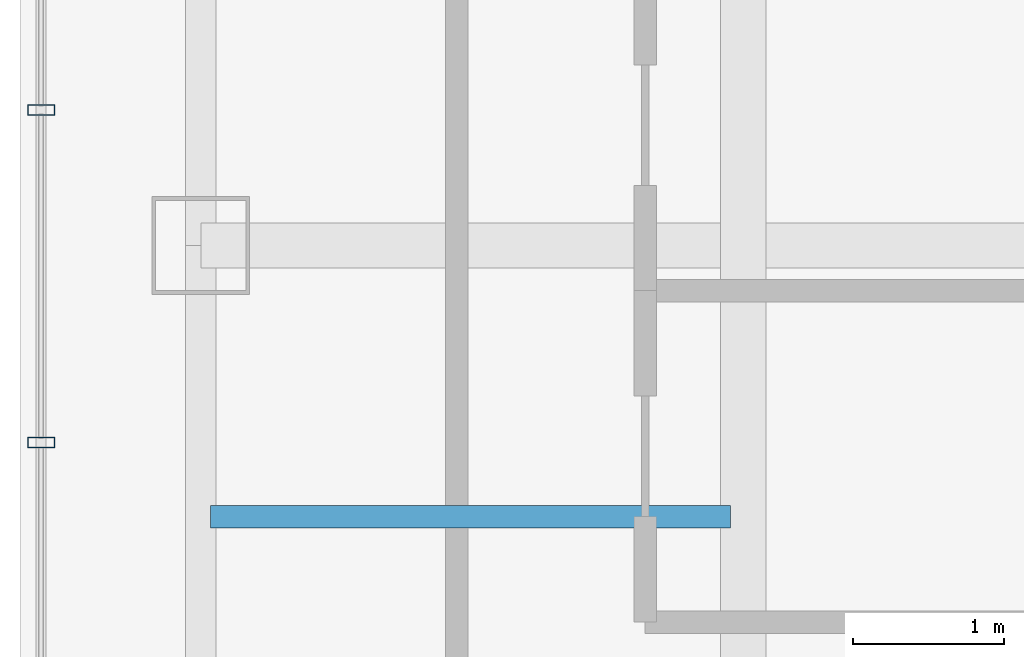
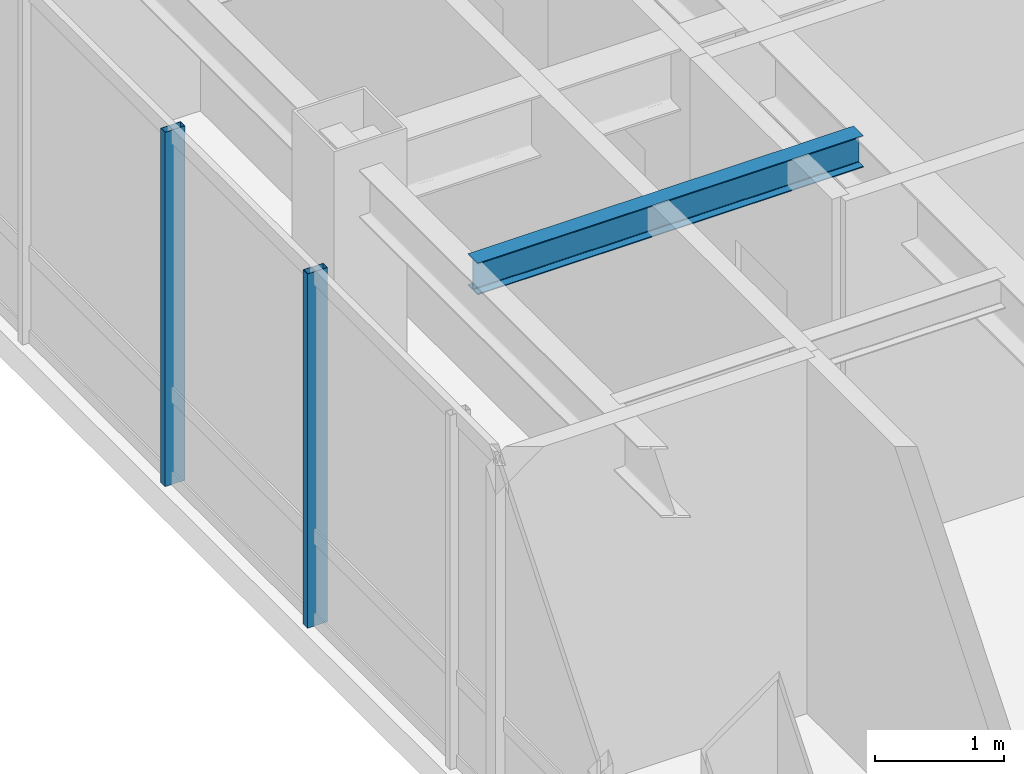
# One storey, part 6 of 25: 2 members, 1 beam, 1 element without a shape of its own.
"""IFC4 building model written with IfcOpenShell, lengths in metres."""

from ifc_helpers import new_model, si_unit, direction, frame, origin, origin_2d, place, context, subcontext, project, spatial, hollow_rectangle, i_section, extrude, material, layer, layer_set, material_profile, profile_set, type_object, element, aggregate, save


model = new_model("IFC4")

# Units and contexts
model_context = context("Model", 3, precision=1e-05, world=origin(), true_north=direction((0.0, 1.0)))
body_context = subcontext(model_context, "Body", "Model", "MODEL_VIEW")
ifc_project = project(units=[si_unit("LENGTHUNIT", "METRE"), si_unit("AREAUNIT", "SQUARE_METRE"), si_unit("VOLUMEUNIT", "CUBIC_METRE"), si_unit("PLANEANGLEUNIT", "RADIAN"), si_unit("MASSUNIT", "GRAM", prefix="KILO")], contexts=[model_context])

# Site, building, storey
site_placement = place(None, origin())
site = spatial("IfcSite", under=ifc_project, at=site_placement, CompositionType="ELEMENT")
building_placement = place(site_placement, origin())
building = spatial("IfcBuilding", under=site, at=building_placement, Name="Hatsunagi Terrace Concourse", CompositionType="ELEMENT")
storey_placement = place(building_placement, frame((0.0, 0.0, 216.75)))
storey = spatial("IfcBuildingStorey", under=building, at=storey_placement, Name="L57", CompositionType="ELEMENT", Elevation=216.75)

# Curtain wall, members
ifc_material_1 = material(Name="Anodised Aluminium Alloy 6063-T5", Category="aluminium")
ifc_layer = layer(ifc_material_1, 0.199951171875)
ifc_layer_set = layer_set([ifc_layer], Name="OfficeZone2_CW04")
curtain_wall_type = type_object("IfcCurtainWallType", Name="OfficeZone2_CW04", PredefinedType="NOTDEFINED", material=ifc_layer_set)
curtain_wall_placement = place(storey_placement, origin())
curtain_wall = element("IfcCurtainWall", 1, at=curtain_wall_placement, inside=storey, type_object=curtain_wall_type, Name="Unitised Curtain Wall CW-04 CW-L57-08", PredefinedType="NOTDEFINED")
ifc_material_2 = material(Name="Anodised Aluminium Alloy 6063-T5", Category="aluminium")
ifc_material_profile_1 = material_profile(ifc_material_2, hollow_rectangle(XDim=0.070068359375, YDim=0.179931640625, WallThickness=0.00390625, at=origin_2d()), Name="ALU-MUL-180x70x4")
ifc_profile_set_1 = profile_set([ifc_material_profile_1], Name="Anodised Aluminium Alloy 6063-T5")
member_type = type_object("IfcMemberType", Name="CurtainWallMullion_180x70", PredefinedType="MULLION", material=ifc_profile_set_1)
member_1_placement = place(storey_placement, frame((18.139892578125, 34.69189453125, 0.0), z_axis=(0.0, 0.0, 1.0), x_axis=(0.0, 1.0, 0.0)))
member_1 = element("IfcMember", 2, at=member_1_placement, type_object=member_type, Name="Curtain Wall Mullion MUL-02", PredefinedType="MULLION", context=body_context, shape_type="SweptSolid", body=[
    extrude(hollow_rectangle(XDim=0.070068359375, YDim=0.179931640625, WallThickness=0.00390625, at=origin_2d()), origin(), (0.0, 0.0, 1.0), 3.35009765625),
])
member_2_placement = place(storey_placement, frame((18.139892578125, 36.89990234375, 0.0), z_axis=(0.0, 0.0, 1.0), x_axis=(0.0, 1.0, 0.0)))
member_2 = element("IfcMember", 3, at=member_2_placement, type_object=member_type, Name="Curtain Wall Mullion MUL-02", PredefinedType="MULLION", context=body_context, shape_type="SweptSolid", body=[
    extrude(hollow_rectangle(XDim=0.070068359375, YDim=0.179931640625, WallThickness=0.00390625, at=origin_2d()), origin(), (0.0, 0.0, 1.0), 3.35009765625),
])
aggregate(curtain_wall, [member_1, member_2])

# Beam
ifc_material_3 = material(Name="Steel SN490B", Category="steel")
ifc_material_profile_2 = material_profile(ifc_material_3, i_section(OverallWidth=0.14990234375, OverallDepth=0.300048828125, WebThickness=0.006591796875, FlangeThickness=0.009033203125, FilletRadius=0.010986328125, at=origin_2d()), Name="H-300x150x6.5x9")
ifc_profile_set_2 = profile_set([ifc_material_profile_2], Name="Steel SN490B")
beam_type = type_object("IfcBeamType", Name="OfficeJoist_H_300x150", PredefinedType="JOIST", material=ifc_profile_set_2)
beam_placement = place(storey_placement, frame((19.264892578125, 34.199951171875, 3.199951171875), z_axis=(1.0, 0.0, 0.0), x_axis=(0.0, 1.0, 0.0)))
element("IfcBeam", 4, at=beam_placement, inside=storey, type_object=beam_type, Name="Beam J-03 J-L57-W-19-342", PredefinedType="JOIST", context=body_context, shape_type="SweptSolid", body=[
    extrude(i_section(OverallWidth=0.14990234375, OverallDepth=0.300048828125, WebThickness=0.006591796875, FlangeThickness=0.009033203125, FilletRadius=0.010986328125, at=origin_2d()), origin(), (0.0, 0.0, 1.0), 3.4501953125),
])

save(model, "model.ifc")
